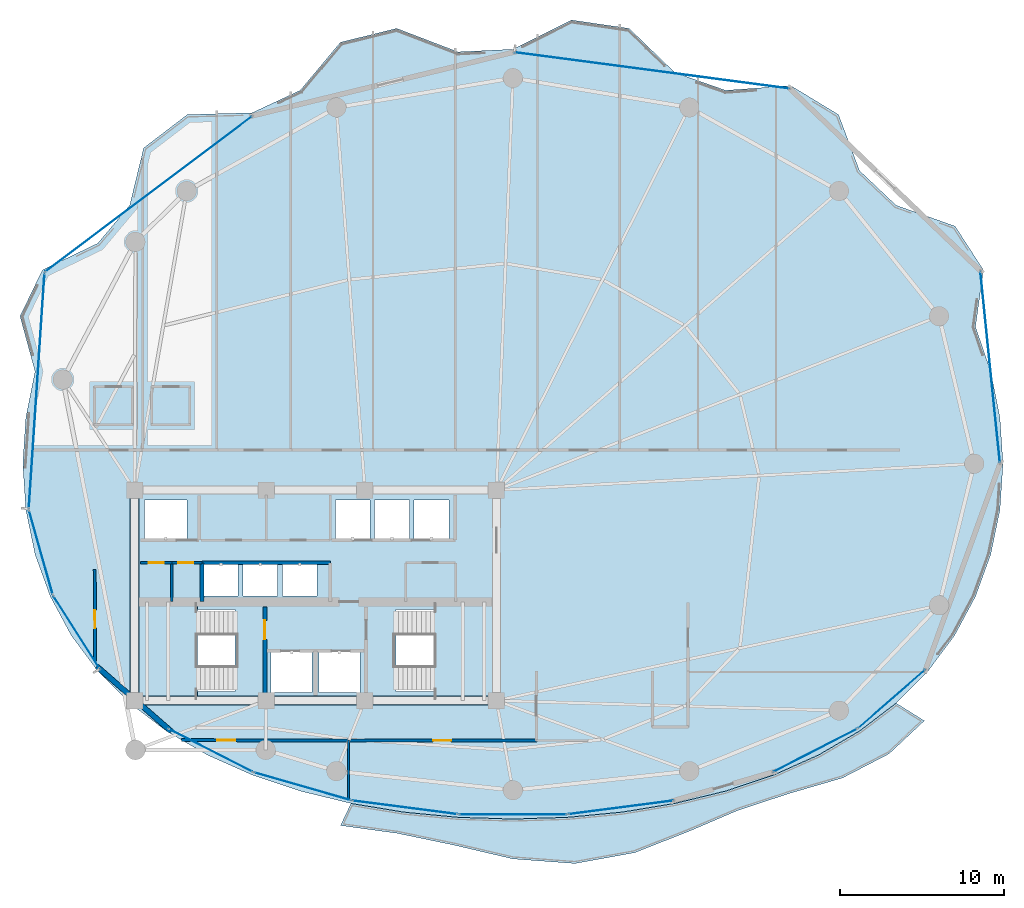
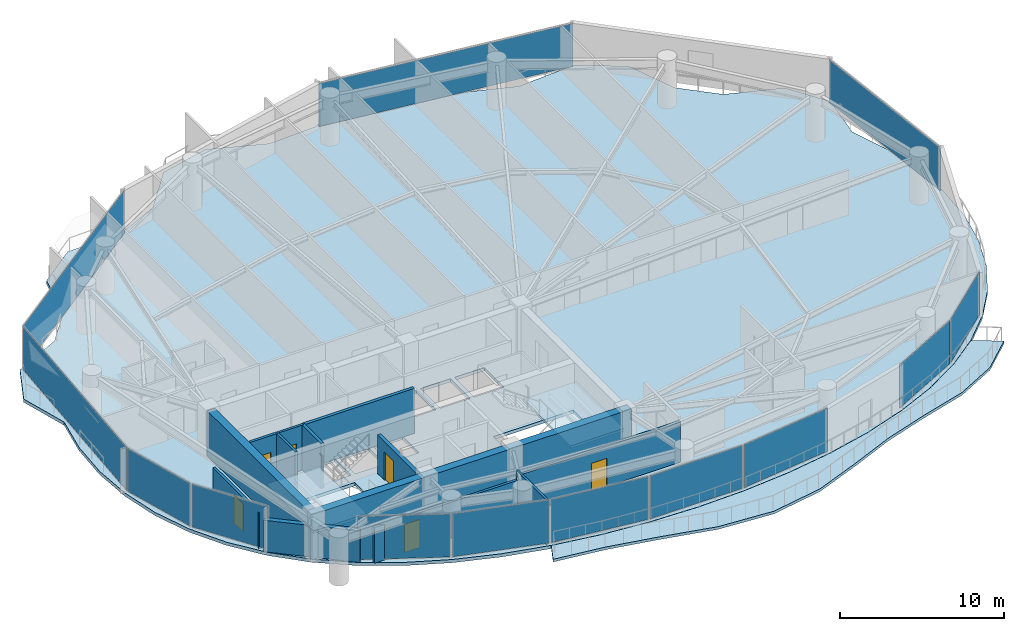
# One storey, part 24 of 30: 13 plates, 13 walls, 6 doors, 4 slabs, 6 openings, 15 elements without a shape of their own.
"""IFC4 building model written with IfcOpenShell, lengths in metres."""

from ifc_helpers import new_model, si_unit, direction, frame, frame_2d, origin, origin_2d, place, context, subcontext, project, spatial, polyline, rectangle, outline, extrude, material, layer, layer_set, type_object, element, fill, aggregate, save


model = new_model("IFC4")

# Units and contexts
model_context = context("Model", 3, precision=1e-05, world=origin(), true_north=direction((0.0, 1.0)))
body_context = subcontext(model_context, "Body", "Model", "MODEL_VIEW")
ifc_project = project(units=[si_unit("LENGTHUNIT", "METRE"), si_unit("AREAUNIT", "SQUARE_METRE"), si_unit("VOLUMEUNIT", "CUBIC_METRE"), si_unit("PLANEANGLEUNIT", "RADIAN"), si_unit("MASSUNIT", "GRAM", prefix="KILO")], contexts=[model_context])

# Site, building, storey
site_placement = place(None, origin())
site = spatial("IfcSite", under=ifc_project, at=site_placement, CompositionType="ELEMENT")
building_placement = place(site_placement, origin())
building = spatial("IfcBuilding", under=site, at=building_placement, Name="Kazevale Care Tower and Concert Hall", CompositionType="ELEMENT")
storey_placement = place(building_placement, frame((0.0, 0.0, 127.800048828125)))
storey = spatial("IfcBuildingStorey", under=building, at=storey_placement, Name="L33", CompositionType="ELEMENT", Elevation=127.800048828125)

# Curtain wall, plate
ifc_material_1 = material(Name="Aluminium 6063-T6 and Low-E Glass", Category="aluminium")
ifc_layer_1 = layer(ifc_material_1, 0.179931640625)
ifc_layer_set_1 = layer_set([ifc_layer_1], Name="Aluminium 6063-T6 and Low-E Glass")
curtain_wall_type_1 = type_object("IfcCurtainWallType", Name="Convex Recessed Sunroom Curtain Wall CW-3", PredefinedType="NOTDEFINED", material=ifc_layer_set_1)
curtain_wall_1_placement = place(storey_placement, origin())
curtain_wall_1 = element("IfcCurtainWall", 1, at=curtain_wall_1_placement, inside=storey, type_object=curtain_wall_type_1, Name="cw:L33:f14", PredefinedType="NOTDEFINED")
ifc_material_2 = material(Name="Low-E Laminated Glass", Category="glass")
ifc_layer_2 = layer(ifc_material_2, 0.028076171875)
ifc_layer_set_2 = layer_set([ifc_layer_2], Name="Low-E Laminated Glass")
plate_type_1 = type_object("IfcPlateType", Name="CW-3 Low-E Glazing Panel 28mm", PredefinedType="CURTAIN_PANEL", material=ifc_layer_set_2)
plate_1_placement = place(storey_placement, frame((22.8583984375, 54.402099609375, 0.074951171875), z_axis=(0.0, 0.0, 1.0), x_axis=(0.799400950952, 0.600797902474, 0.0)))
plate_1 = element("IfcPlate", 2, at=plate_1_placement, type_object=plate_type_1, Name="CW-3 panel 1.1", PredefinedType="CURTAIN_PANEL", context=body_context, shape_type="SweptSolid", body=[
    extrude(rectangle(XDim=15.685546875, YDim=0.028076171875, at=origin_2d()), origin(), (0.0, 0.0, 1.0), 3.2099609375),
])
aggregate(curtain_wall_1, [plate_1])

curtain_wall_2_placement = place(storey_placement, origin())
curtain_wall_2 = element("IfcCurtainWall", 3, at=curtain_wall_2_placement, inside=storey, type_object=curtain_wall_type_1, Name="cw:L33:f16", PredefinedType="NOTDEFINED")
plate_2_placement = place(storey_placement, frame((53.447509765625, 61.91357421875, 0.074951171875), z_axis=(0.0, 0.0, 1.0), x_axis=(0.991405823257, -0.130822374277, 0.0)))
plate_2 = element("IfcPlate", 4, at=plate_2_placement, type_object=plate_type_1, Name="CW-3 panel 1.1", PredefinedType="CURTAIN_PANEL", context=body_context, shape_type="SweptSolid", body=[
    extrude(rectangle(XDim=16.796630859375, YDim=0.028076171875, at=origin_2d()), origin(), (0.0, 0.0, 1.0), 3.2099609375),
])
aggregate(curtain_wall_2, [plate_2])

ifc_layer_3 = layer(ifc_material_1, 0.179931640625)
ifc_layer_set_3 = layer_set([ifc_layer_3], Name="Aluminium 6063-T6 and Low-E Glass")
curtain_wall_type_2 = type_object("IfcCurtainWallType", Name="Waist & Upper Residential Curtain Wall CW-4", PredefinedType="NOTDEFINED", material=ifc_layer_set_3)
curtain_wall_3_placement = place(storey_placement, origin())
curtain_wall_3 = element("IfcCurtainWall", 5, at=curtain_wall_3_placement, inside=storey, type_object=curtain_wall_type_2, Name="cw:L33:f11", PredefinedType="NOTDEFINED")
ifc_layer_4 = layer(ifc_material_2, 0.030029296875)
ifc_layer_set_4 = layer_set([ifc_layer_4], Name="Low-E Laminated Glass")
plate_type_2 = type_object("IfcPlateType", Name="CW-4 Low-E Glazing Panel 30mm", PredefinedType="CURTAIN_PANEL", material=ifc_layer_set_4)
plate_3_placement = place(storey_placement, frame((18.470458984375, 27.75244140625, 0.080078125), z_axis=(0.0, 0.0, 1.0), x_axis=(-0.537239193981, 0.843429930967, 0.0)))
plate_3 = element("IfcPlate", 6, at=plate_3_placement, type_object=plate_type_2, Name="CW-4 panel 1.1", PredefinedType="CURTAIN_PANEL", context=body_context, shape_type="SweptSolid", body=[
    extrude(rectangle(XDim=5.176513671875, YDim=0.030029296875, at=origin_2d()), origin(), (0.0, 0.0, 1.0), 3.199951171875),
])
aggregate(curtain_wall_3, [plate_3])

curtain_wall_4_placement = place(storey_placement, origin())
curtain_wall_4 = element("IfcCurtainWall", 7, at=curtain_wall_4_placement, inside=storey, type_object=curtain_wall_type_2, Name="cw:L33:f12", PredefinedType="NOTDEFINED")
plate_4_placement = place(storey_placement, frame((16.301513671875, 32.612548828125, 0.080078125), z_axis=(0.0, 0.0, 1.0), x_axis=(-0.271284948278, 0.962499078876, 0.0)))
plate_4 = element("IfcPlate", 8, at=plate_4_placement, type_object=plate_type_2, Name="CW-4 panel 1.1", PredefinedType="CURTAIN_PANEL", context=body_context, shape_type="SweptSolid", body=[
    extrude(rectangle(XDim=5.262451171875, YDim=0.030029296875, at=origin_2d()), origin(), (0.0, 0.0, 1.0), 3.199951171875),
])
aggregate(curtain_wall_4, [plate_4])

curtain_wall_5_placement = place(storey_placement, origin())
curtain_wall_5 = element("IfcCurtainWall", 9, at=curtain_wall_5_placement, inside=storey, type_object=curtain_wall_type_2, Name="cw:L33:f13", PredefinedType="NOTDEFINED")
plate_5_placement = place(storey_placement, frame((16.047607421875, 42.43359375, 0.080078125), z_axis=(0.0, 0.0, 1.0), x_axis=(0.06662002475, 0.997778418439, 0.0)))
plate_5 = element("IfcPlate", 10, at=plate_5_placement, type_object=plate_type_2, Name="CW-4 panel 1.1", PredefinedType="CURTAIN_PANEL", context=body_context, shape_type="SweptSolid", body=[
    extrude(rectangle(XDim=14.295166015625, YDim=0.030029296875, at=origin_2d()), origin(), (0.0, 0.0, 1.0), 3.199951171875),
])
aggregate(curtain_wall_5, [plate_5])

curtain_wall_6_placement = place(storey_placement, origin())
curtain_wall_6 = element("IfcCurtainWall", 11, at=curtain_wall_6_placement, inside=storey, type_object=curtain_wall_type_2, Name="cw:L33:f18", PredefinedType="NOTDEFINED")
plate_6_placement = place(storey_placement, frame((74.01904296875, 43.868896484375, 0.080078125), z_axis=(0.0, 0.0, 1.0), x_axis=(0.101869730126, -0.994797747326, 0.0)))
plate_6 = element("IfcPlate", 12, at=plate_6_placement, type_object=plate_type_2, Name="CW-4 panel 1.1", PredefinedType="CURTAIN_PANEL", context=body_context, shape_type="SweptSolid", body=[
    extrude(rectangle(XDim=11.639404296875, YDim=0.030029296875, at=origin_2d()), origin(), (0.0, 0.0, 1.0), 3.199951171875),
])
aggregate(curtain_wall_6, [plate_6])

ifc_layer_5 = layer(ifc_material_1, 0.179931640625)
ifc_layer_set_5 = layer_set([ifc_layer_5], Name="Aluminium 6063-T6 and Low-E Glass")
curtain_wall_type_3 = type_object("IfcCurtainWallType", Name="Sheltered Concave Balcony Curtain Wall CW-5", PredefinedType="NOTDEFINED", material=ifc_layer_set_5)
curtain_wall_7_placement = place(storey_placement, origin())
curtain_wall_7 = element("IfcCurtainWall", 13, at=curtain_wall_7_placement, inside=storey, type_object=curtain_wall_type_3, Name="cw:L33:f02", PredefinedType="NOTDEFINED")
ifc_layer_6 = layer(ifc_material_2, 0.02587890625)
ifc_layer_set_6 = layer_set([ifc_layer_6], Name="Low-E Laminated Glass")
plate_type_3 = type_object("IfcPlateType", Name="CW-5 Low-E Glazing Panel 26mm", PredefinedType="CURTAIN_PANEL", material=ifc_layer_set_6)
plate_7_placement = place(storey_placement, frame((68.033447265625, 23.699951171875, 0.074951171875), z_axis=(0.0, 0.0, 1.0), x_axis=(-0.753062779437, -0.657948668382, 0.0)))
plate_7 = element("IfcPlate", 14, at=plate_7_placement, type_object=plate_type_3, Name="CW-5 panel 1.1", PredefinedType="CURTAIN_PANEL", context=body_context, shape_type="SweptSolid", body=[
    extrude(rectangle(XDim=5.32763671875, YDim=0.02587890625, at=origin_2d()), origin(), (0.0, 0.0, 1.0), 3.2099609375),
])
aggregate(curtain_wall_7, [plate_7])

curtain_wall_8_placement = place(storey_placement, origin())
curtain_wall_8 = element("IfcCurtainWall", 15, at=curtain_wall_8_placement, inside=storey, type_object=curtain_wall_type_3, Name="cw:L33:f03", PredefinedType="NOTDEFINED")
plate_8_placement = place(storey_placement, frame((63.3798828125, 20.571533203125, 0.074951171875), z_axis=(0.0, 0.0, 1.0), x_axis=(-0.890126646051, -0.455713236575, 0.0)))
plate_8 = element("IfcPlate", 16, at=plate_8_placement, type_object=plate_type_3, Name="CW-5 panel 1.1", PredefinedType="CURTAIN_PANEL", context=body_context, shape_type="SweptSolid", body=[
    extrude(rectangle(XDim=5.671630859375, YDim=0.02587890625, at=origin_2d()), origin(), (0.0, 0.0, 1.0), 3.2099609375),
])
aggregate(curtain_wall_8, [plate_8])

curtain_wall_9_placement = place(storey_placement, origin())
curtain_wall_9 = element("IfcCurtainWall", 17, at=curtain_wall_9_placement, inside=storey, type_object=curtain_wall_type_3, Name="cw:L33:f05", PredefinedType="NOTDEFINED")
plate_9_placement = place(storey_placement, frame((51.5654296875, 17.1044921875, 0.074951171875), z_axis=(0.0, 0.0, 1.0), x_axis=(-0.991685519364, -0.12868500567, 0.0)))
plate_9 = element("IfcPlate", 18, at=plate_9_placement, type_object=plate_type_3, Name="CW-5 panel 1.1", PredefinedType="CURTAIN_PANEL", context=body_context, shape_type="SweptSolid", body=[
    extrude(rectangle(XDim=6.38525390625, YDim=0.02587890625, at=origin_2d()), origin(), (0.0, 0.0, 1.0), 3.2099609375),
])
aggregate(curtain_wall_9, [plate_9])

curtain_wall_10_placement = place(storey_placement, origin())
curtain_wall_10 = element("IfcCurtainWall", 19, at=curtain_wall_10_placement, inside=storey, type_object=curtain_wall_type_3, Name="cw:L33:f06", PredefinedType="NOTDEFINED")
plate_10_placement = place(storey_placement, frame((45.0, 16.68408203125, 0.074951171875), z_axis=(0.0, 0.0, 1.0), x_axis=(-1.0, 0.0, 0.0)))
plate_10 = element("IfcPlate", 20, at=plate_10_placement, type_object=plate_type_3, Name="CW-5 panel 1.1", PredefinedType="CURTAIN_PANEL", context=body_context, shape_type="SweptSolid", body=[
    extrude(rectangle(XDim=6.5, YDim=0.02587890625, at=origin_2d()), origin(), (0.0, 0.0, 1.0), 3.2099609375),
])
aggregate(curtain_wall_10, [plate_10])

curtain_wall_11_placement = place(storey_placement, origin())
curtain_wall_11 = element("IfcCurtainWall", 21, at=curtain_wall_11_placement, inside=storey, type_object=curtain_wall_type_3, Name="cw:L33:f07", PredefinedType="NOTDEFINED")
plate_11_placement = place(storey_placement, frame((38.4345703125, 17.1044921875, 0.074951171875), z_axis=(0.0, 0.0, 1.0), x_axis=(-0.991685519364, 0.12868500567, 0.0)))
plate_11 = element("IfcPlate", 22, at=plate_11_placement, type_object=plate_type_3, Name="CW-5 panel 1.1", PredefinedType="CURTAIN_PANEL", context=body_context, shape_type="SweptSolid", body=[
    extrude(rectangle(XDim=6.38525390625, YDim=0.02587890625, at=origin_2d()), origin(), (0.0, 0.0, 1.0), 3.2099609375),
])
aggregate(curtain_wall_11, [plate_11])

curtain_wall_12_placement = place(storey_placement, origin())
curtain_wall_12 = element("IfcCurtainWall", 23, at=curtain_wall_12_placement, inside=storey, type_object=curtain_wall_type_3, Name="cw:L33:f08", PredefinedType="NOTDEFINED")
plate_12_placement = place(storey_placement, frame((32.202392578125, 18.385009765625, 0.074951171875), z_axis=(0.0, 0.0, 1.0), x_axis=(-0.961074102639, 0.276290733172, 0.0)))
plate_12 = element("IfcPlate", 24, at=plate_12_placement, type_object=plate_type_3, Name="CW-5 panel 1.1", PredefinedType="CURTAIN_PANEL", context=body_context, shape_type="SweptSolid", body=[
    extrude(rectangle(XDim=6.075439453125, YDim=0.02587890625, at=origin_2d()), origin(), (0.0, 0.0, 1.0), 3.2099609375),
])
aggregate(curtain_wall_12, [plate_12])

curtain_wall_13_placement = place(storey_placement, origin())
curtain_wall_13 = element("IfcCurtainWall", 25, at=curtain_wall_13_placement, inside=storey, type_object=curtain_wall_type_3, Name="cw:L33:f09", PredefinedType="NOTDEFINED")
plate_13_placement = place(storey_placement, frame((26.6201171875, 20.571533203125, 0.074951171875), z_axis=(0.0, 0.0, 1.0), x_axis=(-0.890126646051, 0.455713236575, 0.0)))
plate_13 = element("IfcPlate", 26, at=plate_13_placement, type_object=plate_type_3, Name="CW-5 panel 1.1", PredefinedType="CURTAIN_PANEL", context=body_context, shape_type="SweptSolid", body=[
    extrude(rectangle(XDim=5.671630859375, YDim=0.02587890625, at=origin_2d()), origin(), (0.0, 0.0, 1.0), 3.2099609375),
])
aggregate(curtain_wall_13, [plate_13])

# Slab
ifc_material_3 = material(Name="Concrete C40", Category="concrete")
ifc_layer_7 = layer(ifc_material_3, 0.199951171875)
ifc_layer_set_7 = layer_set([ifc_layer_7], Name="Concrete C40")
slab_type_1 = type_object("IfcSlabType", Name="Sinusoidal Concave Balcony Slab 200", PredefinedType="USERDEFINED", material=ifc_layer_set_7)
slab_1_placement = place(storey_placement, frame((0.0, 0.0, -0.199951171875)))
element("IfcSlab", 27, at=slab_1_placement, inside=storey, type_object=slab_type_1, Name="slab:L33:bal", ObjectType="BALCONY", PredefinedType="USERDEFINED", context=body_context, shape_type="SweptSolid", body=[
    extrude(outline(polyline([(70.01611328125, 22.373779296875), (67.86767578125, 20.36279296875), (65.04345703125, 18.8974609375), (61.798583984375, 17.95068359375), (58.68994140625, 16.928466796875), (55.659423828125, 15.633544921875), (52.4033203125, 14.35205078125), (48.772705078125, 13.693603515625), (45.0, 13.97412109375), (41.401611328125, 14.816162109375), (37.965576171875, 15.530517578125), (34.51708984375, 16.00390625), (35.155517578125, 17.343505859375), (35.15673828125, 17.34326171875), (38.368408203125, 16.81396484375), (41.6630859375, 16.49951171875), (45.0, 16.39501953125), (48.3369140625, 16.49951171875), (51.631591796875, 16.81396484375), (54.84326171875, 17.34326171875), (57.93115234375, 18.09375), (60.8564453125, 19.07275390625), (63.582275390625, 20.28759765625), (66.07470703125, 21.74365234375), (68.302001953125, 23.442626953125), (68.302978515625, 23.44384765625), (70.01611328125, 22.373779296875)])), origin(), (0.0, 0.0, 1.0), 0.199951171875),
])

# Stair, slab
stair_type = type_object("IfcStairType", Name="Exit Stair Assembly ST1-Z2", PredefinedType="HALF_TURN_STAIR", material=ifc_material_3)
stair_1_placement = place(storey_placement, origin())
stair_1 = element("IfcStair", 28, at=stair_1_placement, inside=storey, type_object=stair_type, Name="stair:L33:ST1", PredefinedType="HALF_TURN_STAIR")
ifc_layer_8 = layer(ifc_material_3, 0.199951171875)
ifc_layer_set_8 = layer_set([ifc_layer_8], Name="Concrete C40")
slab_type_2 = type_object("IfcSlabType", Name="Stair Half-Landing Slab ST1-Z2", PredefinedType="LANDING", material=ifc_layer_set_8)
slab_2_placement = place(storey_placement, frame((0.0, 0.0, 1.599853515625)))
slab_2 = element("IfcSlab", 29, at=slab_2_placement, type_object=slab_type_2, Name="ST1-Z2 landing 1", PredefinedType="LANDING", context=body_context, shape_type="SweptSolid", body=[
    extrude(outline(polyline([(22.050048828125, 23.699951171875), (25.81005859375, 23.699951171875), (25.81005859375, 29.5), (22.050048828125, 29.5), (22.050048828125, 23.699951171875)])), origin(), (0.0, 0.0, 1.0), 0.2001953125),
])
aggregate(stair_1, [slab_2])

stair_2_placement = place(storey_placement, origin())
stair_2 = element("IfcStair", 30, at=stair_2_placement, inside=storey, type_object=stair_type, Name="stair:L33:ST2", PredefinedType="HALF_TURN_STAIR")
slab_3_placement = place(storey_placement, frame((0.0, 0.0, 1.599853515625)))
slab_3 = element("IfcSlab", 31, at=slab_3_placement, type_object=slab_type_2, Name="ST1-Z2 landing 1", PredefinedType="LANDING", context=body_context, shape_type="SweptSolid", body=[
    extrude(outline(polyline([(40.18994140625, 23.699951171875), (43.949951171875, 23.699951171875), (43.949951171875, 29.5), (40.18994140625, 29.5), (40.18994140625, 23.699951171875)])), origin(), (0.0, 0.0, 1.0), 0.2001953125),
])
aggregate(stair_2, [slab_3])

# Slab
ifc_layer_9 = layer(ifc_material_3, 0.239990234375)
ifc_layer_set_9 = layer_set([ifc_layer_9], Name="Concrete C40")
slab_type_3 = type_object("IfcSlabType", Name="Tower Typical Floor Slab 240", PredefinedType="FLOOR", material=ifc_layer_set_9)
slab_4_placement = place(storey_placement, frame((0.0, 0.0, -0.239990234375)))
element("IfcSlab", 32, at=slab_4_placement, inside=storey, type_object=slab_type_3, Name="slab:L33:tw:1", PredefinedType="FLOOR", context=body_context, shape_type="SweptSolid", body=[
    extrude(outline(polyline([(74.800048828125, 38.0), (74.612548828125, 40.821533203125), (74.052978515625, 43.607421875), (73.127685546875, 46.322998046875), (73.605712890625, 49.77978515625), (71.883544921875, 52.444580078125), (68.298583984375, 53.7119140625), (66.07177734375, 55.819091796875), (64.7958984375, 59.226806640625), (61.89208984375, 60.988525390625), (57.9296875, 60.704345703125), (54.84228515625, 61.785888671875), (52.06494140625, 64.46923828125), (48.554931640625, 64.979248046875), (45.0, 63.199951171875), (41.66357421875, 63.04150390625), (37.93505859375, 64.46923828125), (34.513671875, 63.62646484375), (32.0703125, 60.704345703125), (29.1455078125, 59.33740234375), (25.2041015625, 59.226806640625), (22.54931640625, 57.197998046875), (21.701416015625, 53.7119140625), (19.767578125, 51.4072265625), (16.394287109375, 49.77978515625), (15.03173828125, 46.967041015625), (15.947021484375, 43.607421875), (15.387451171875, 40.821533203125), (15.199951171875, 38.0), (15.387451171875, 35.197265625), (15.947021484375, 32.490234375), (16.872314453125, 29.92919921875), (18.151123046875, 27.551513671875), (19.767578125, 25.384521484375), (21.701416015625, 23.446533203125), (23.92822265625, 21.747802734375), (26.419921875, 20.2919921875), (29.1455078125, 19.077392578125), (32.0703125, 18.098388671875), (35.15771484375, 17.34814453125), (38.368896484375, 16.819091796875), (41.66357421875, 16.50439453125), (45.0, 16.39990234375), (48.33642578125, 16.50439453125), (51.631103515625, 16.819091796875), (54.84228515625, 17.34814453125), (57.9296875, 18.098388671875), (60.8544921875, 19.077392578125), (63.580078125, 20.2919921875), (66.07177734375, 21.747802734375), (68.298583984375, 23.446533203125), (70.232421875, 25.384521484375), (71.848876953125, 27.551513671875), (73.127685546875, 29.92919921875), (74.052978515625, 32.490234375), (74.612548828125, 35.197265625), (74.800048828125, 38.0)]), holes=[polyline([(22.449951171875, 24.14990234375), (28.110107421875, 24.14990234375), (28.110107421875, 29.14990234375), (22.449951171875, 29.14990234375), (22.449951171875, 24.14990234375)]), polyline([(37.889892578125, 24.14990234375), (43.550048828125, 24.14990234375), (43.550048828125, 29.14990234375), (37.889892578125, 29.14990234375), (37.889892578125, 24.14990234375)]), polyline([(30.300048828125, 24.10009765625), (32.800048828125, 24.10009765625), (32.800048828125, 26.60009765625), (30.300048828125, 26.60009765625), (30.300048828125, 24.10009765625)]), polyline([(33.199951171875, 24.10009765625), (35.699951171875, 24.10009765625), (35.699951171875, 26.60009765625), (33.199951171875, 26.60009765625), (33.199951171875, 24.10009765625)]), polyline([(22.60009765625, 33.39990234375), (25.199951171875, 33.39990234375), (25.199951171875, 35.800048828125), (22.60009765625, 35.800048828125), (22.60009765625, 33.39990234375)]), polyline([(34.199951171875, 33.39990234375), (36.300048828125, 33.39990234375), (36.300048828125, 35.800048828125), (34.199951171875, 35.800048828125), (34.199951171875, 33.39990234375)]), polyline([(36.60009765625, 33.39990234375), (38.699951171875, 33.39990234375), (38.699951171875, 35.800048828125), (36.60009765625, 35.800048828125), (36.60009765625, 33.39990234375)]), polyline([(39.0, 33.39990234375), (41.10009765625, 33.39990234375), (41.10009765625, 35.800048828125), (39.0, 35.800048828125), (39.0, 33.39990234375)]), polyline([(26.199951171875, 29.949951171875), (28.300048828125, 29.949951171875), (28.300048828125, 31.949951171875), (26.199951171875, 31.949951171875), (26.199951171875, 29.949951171875)]), polyline([(28.60009765625, 29.949951171875), (30.699951171875, 29.949951171875), (30.699951171875, 31.949951171875), (28.60009765625, 31.949951171875), (28.60009765625, 29.949951171875)]), polyline([(31.0, 29.949951171875), (33.10009765625, 29.949951171875), (33.10009765625, 31.949951171875), (31.0, 31.949951171875), (31.0, 29.949951171875)])]), origin(), (0.0, 0.0, 1.0), 0.239990234375),
])

# Walls
ifc_material_4 = material(Name="Acoustic Gypsum on Steel Stud", Category="steel")
ifc_layer_10 = layer(ifc_material_4, 0.139892578125)
ifc_layer_set_10 = layer_set([ifc_layer_10], Name="Acoustic Gypsum on Steel Stud")
wall_type_1 = type_object("IfcWallType", Name="Acoustic Care & Suite Partition 140", PredefinedType="PARTITIONING", material=ifc_layer_set_10)
wall_1_placement = place(storey_placement, frame((35.0, 21.205078125, 0.0), z_axis=(0.0, 0.0, 1.0), x_axis=(0.0, -1.0, 0.0)))
element("IfcWall", 33, at=wall_1_placement, inside=storey, type_object=wall_type_1, Name="wall:L33:auto_030", PredefinedType="PARTITIONING", context=body_context, shape_type="SweptSolid", body=[
    extrude(rectangle(XDim=3.6142578125, YDim=0.139892578125, at=frame_2d((1.80712890625, 0.0))), origin(), (0.0, 0.0, 1.0), 3.35986328125),
])
ifc_material_5 = material(Name="Concrete C60", Category="concrete")
ifc_layer_11 = layer(ifc_material_5, 0.550048828125)
ifc_layer_set_11 = layer_set([ifc_layer_11], Name="Concrete C60")
wall_type_2 = type_object("IfcWallType", Name="Core Shear Wall 550 C60", PredefinedType="SHEAR", material=ifc_layer_set_11)
wall_2_placement = place(storey_placement, frame((21.72509765625, 23.60009765625, 0.0), z_axis=(0.0, 0.0, 1.0), x_axis=(1.0, 0.0, 0.0)))
element("IfcWall", 34, at=wall_2_placement, inside=storey, type_object=wall_type_2, Name="wall:L33:core:S", PredefinedType="SHEAR", context=body_context, shape_type="SweptSolid", body=[
    extrude(rectangle(XDim=22.5498046875, YDim=0.550048828125, at=frame_2d((11.27490234375, 0.0))), origin(), (0.0, 0.0, 1.0), 3.35986328125),
])
wall_3_placement = place(storey_placement, frame((22.0, 23.875, 0.0), z_axis=(0.0, 0.0, 1.0), x_axis=(0.0, 1.0, 0.0)))
element("IfcWall", 35, at=wall_3_placement, inside=storey, type_object=wall_type_2, Name="wall:L33:core:W", PredefinedType="SHEAR", context=body_context, shape_type="SweptSolid", body=[
    extrude(rectangle(XDim=12.25, YDim=0.550048828125, at=frame_2d((6.125, 0.0))), origin(), (0.0, 0.0, 1.0), 3.35986328125),
])
ifc_layer_12 = layer(ifc_material_3, 0.219970703125)
ifc_layer_set_12 = layer_set([ifc_layer_12], Name="Concrete C40")
wall_type_3 = type_object("IfcWallType", Name="Elevator Hoistway Shaft Wall 220", PredefinedType="SOLIDWALL", material=ifc_layer_set_12)
wall_4_placement = place(storey_placement, frame((26.10009765625, 29.6201171875, 0.0), z_axis=(0.0, 0.0, 1.0), x_axis=(0.0, 1.0, 0.0)))
element("IfcWall", 36, at=wall_4_placement, inside=storey, type_object=wall_type_3, Name="wall:L33:c_ph_w", PredefinedType="SOLIDWALL", context=body_context, shape_type="SweptSolid", body=[
    extrude(rectangle(XDim=2.35986328125, YDim=0.219970703125, at=frame_2d((1.179931640625, 0.0))), origin(), (0.0, 0.0, 1.0), 3.35986328125),
])
wall_5_placement = place(storey_placement, frame((26.10009765625, 31.97998046875, 0.0), z_axis=(0.0, 0.0, 1.0), x_axis=(1.0, 0.0, 0.0)))
element("IfcWall", 37, at=wall_5_placement, inside=storey, type_object=wall_type_3, Name="wall:L33:c_ph_n", PredefinedType="SOLIDWALL", context=body_context, shape_type="SweptSolid", body=[
    extrude(rectangle(XDim=7.7998046875, YDim=0.219970703125, at=frame_2d((3.89990234375, 0.0))), origin(), (0.0, 0.0, 1.0), 3.35986328125),
])

# Wall, opening, door
ifc_material_6 = material(Name="Concrete C40 and Acoustic Gypsum", Category="concrete")
ifc_layer_13 = layer(ifc_material_6, 0.179931640625)
ifc_layer_set_13 = layer_set([ifc_layer_13], Name="Concrete C40 and Acoustic Gypsum")
wall_type_4 = type_object("IfcWallType", Name="Fire-Rated Corridor & Party Wall 180", PredefinedType="PARTITIONING", material=ifc_layer_set_13)
wall_6_placement = place(storey_placement, frame((22.35009765625, 31.97998046875, 0.0), z_axis=(0.0, 0.0, 1.0), x_axis=(1.0, 0.0, 0.0)))
wall_6 = element("IfcWall", 38, at=wall_6_placement, inside=storey, type_object=wall_type_4, Name="wall:L33:kb_wn0", PredefinedType="PARTITIONING", context=body_context, shape_type="SweptSolid", body=[
    extrude(rectangle(XDim=1.909912109375, YDim=0.179931640625, at=frame_2d((0.955078125, 0.0))), origin(), (0.0, 0.0, 1.0), 3.35986328125),
])
opening_1_placement = place(wall_6_placement, frame((0.514892578125, 0.0, 0.0)))
opening_1 = element("IfcOpeningElement", 39, at=opening_1_placement, cuts=wall_6, Name="Opening ID-900", PredefinedType="OPENING", context=body_context, shape_type="SweptSolid", body=[
    extrude(rectangle(XDim=0.919921875, YDim=2.10009765625, at=frame_2d((0.4599609375, 1.050048828125))), frame((0.0, 0.099853515625, 0.0), z_axis=(0.0, -1.0, 0.0), x_axis=(1.0, 0.0, 0.0)), (0.0, 0.0, 1.0), 0.199951171875),
])
ifc_material_7 = material(Name="Oak Timber Fire Leaf", Category="wood")
door_type_1 = type_object("IfcDoorType", Name="Bathroom & Service Door 920x2100", OperationType="NOTDEFINED", PredefinedType="DOOR", material=ifc_material_7)
door_1_placement = place(opening_1_placement, origin())
door_1 = element("IfcDoor", 40, at=door_1_placement, inside=storey, type_object=door_type_1, Name="door:L33:d_kbw1", OperationType="SINGLE_SWING_LEFT", OverallHeight=2.10009765625, OverallWidth=0.919921875, PredefinedType="DOOR", context=body_context, shape_type="SweptSolid", body=[
    extrude(rectangle(XDim=0.919921875, YDim=2.10009765625, at=frame_2d((0.4599609375, 1.050048828125))), frame((0.0, 0.02490234375, 0.0), z_axis=(0.0, -1.0, 0.0), x_axis=(1.0, 0.0, 0.0)), (0.0, 0.0, 1.0), 0.050048828125),
])
fill(opening_1, door_1)

wall_7_placement = place(storey_placement, frame((35.06494140625, 21.175048828125, 0.0), z_axis=(0.0, 0.0, 1.0), x_axis=(-0.999998434459, 0.001769485513, 0.0)))
wall_7 = element("IfcWall", 41, at=wall_7_placement, inside=storey, type_object=wall_type_4, Name="wall:L33:auto_016", PredefinedType="PARTITIONING", context=body_context, shape_type="SweptSolid", body=[
    extrude(rectangle(XDim=10.2099609375, YDim=0.179931640625, at=frame_2d((5.10498046875, 0.0))), origin(), (0.0, 0.0, 1.0), 2.656982421875),
])
opening_2_placement = place(wall_7_placement, frame((6.955078125, 0.0, 0.0)))
opening_2 = element("IfcOpeningElement", 42, at=opening_2_placement, cuts=wall_7, Name="Opening ID-1100", PredefinedType="OPENING", context=body_context, shape_type="SweptSolid", body=[
    extrude(rectangle(XDim=1.10009765625, YDim=2.10009765625, at=frame_2d((0.550048828125, 1.050048828125))), frame((0.0, 0.099853515625, 0.0), z_axis=(0.0, -1.0, 0.0), x_axis=(1.0, 0.0, 0.0)), (0.0, 0.0, 1.0), 0.199951171875),
])
door_type_2 = type_object("IfcDoorType", Name="Care Bedroom Accessible Door 1100x2100", OperationType="NOTDEFINED", PredefinedType="DOOR", material=ifc_material_7)
door_2_placement = place(opening_2_placement, origin())
door_2 = element("IfcDoor", 43, at=door_2_placement, inside=storey, type_object=door_type_2, Name="door:L33:ad_016", OperationType="SINGLE_SWING_LEFT", OverallHeight=2.10009765625, OverallWidth=1.10009765625, PredefinedType="DOOR", context=body_context, shape_type="SweptSolid", body=[
    extrude(rectangle(XDim=1.10009765625, YDim=2.10009765625, at=frame_2d((0.550048828125, 1.050048828125))), frame((0.0, 0.02490234375, 0.0), z_axis=(0.0, -1.0, 0.0), x_axis=(1.0, 0.0, 0.0)), (0.0, 0.0, 1.0), 0.050048828125),
])
fill(opening_2, door_2)

wall_8_placement = place(storey_placement, frame((46.455078125, 21.175048828125, 0.0), z_axis=(0.0, 0.0, 1.0), x_axis=(-1.0, 0.0, 0.0)))
wall_8 = element("IfcWall", 44, at=wall_8_placement, inside=storey, type_object=wall_type_4, Name="wall:L33:auto_017", PredefinedType="PARTITIONING", context=body_context, shape_type="SweptSolid", body=[
    extrude(rectangle(XDim=11.52001953125, YDim=0.179931640625, at=frame_2d((5.760009765625, 0.0))), origin(), (0.0, 0.0, 1.0), 2.995849609375),
])
opening_3_placement = place(wall_8_placement, frame((5.2099609375, 0.0, 0.0)))
opening_3 = element("IfcOpeningElement", 45, at=opening_3_placement, cuts=wall_8, Name="Opening ID-1100", PredefinedType="OPENING", context=body_context, shape_type="SweptSolid", body=[
    extrude(rectangle(XDim=1.10009765625, YDim=2.10009765625, at=frame_2d((0.550048828125, 1.050048828125))), frame((0.0, 0.099853515625, 0.0), z_axis=(0.0, -1.0, 0.0), x_axis=(1.0, 0.0, 0.0)), (0.0, 0.0, 1.0), 0.199951171875),
])
door_3_placement = place(opening_3_placement, origin())
door_3 = element("IfcDoor", 46, at=door_3_placement, inside=storey, type_object=door_type_2, Name="door:L33:ad_017", OperationType="SINGLE_SWING_LEFT", OverallHeight=2.10009765625, OverallWidth=1.10009765625, PredefinedType="DOOR", context=body_context, shape_type="SweptSolid", body=[
    extrude(rectangle(XDim=1.10009765625, YDim=2.10009765625, at=frame_2d((0.550048828125, 1.050048828125))), frame((0.0, 0.02490234375, 0.0), z_axis=(0.0, -1.0, 0.0), x_axis=(1.0, 0.0, 0.0)), (0.0, 0.0, 1.0), 0.050048828125),
])
fill(opening_3, door_3)

wall_9_placement = place(storey_placement, frame((19.59521484375, 25.99658203125, 0.0), z_axis=(0.0, 0.0, 1.0), x_axis=(-0.003639049913, 0.999993378636, 0.0)))
wall_9 = element("IfcWall", 47, at=wall_9_placement, inside=storey, type_object=wall_type_4, Name="wall:L33:auto_018", PredefinedType="PARTITIONING", context=body_context, shape_type="SweptSolid", body=[
    extrude(rectangle(XDim=5.568359375, YDim=0.179931640625, at=frame_2d((2.7841796875, 0.0))), origin(), (0.0, 0.0, 1.0), 2.656982421875),
])
opening_4_placement = place(wall_9_placement, frame((2.00390625, 0.0, 0.0)))
opening_4 = element("IfcOpeningElement", 48, at=opening_4_placement, cuts=wall_9, Name="Opening ID-1100", PredefinedType="OPENING", context=body_context, shape_type="SweptSolid", body=[
    extrude(rectangle(XDim=1.10009765625, YDim=2.10009765625, at=frame_2d((0.550048828125, 1.050048828125))), frame((0.0, 0.099853515625, 0.0), z_axis=(0.0, -1.0, 0.0), x_axis=(1.0, 0.0, 0.0)), (0.0, 0.0, 1.0), 0.199951171875),
])
door_4_placement = place(opening_4_placement, origin())
door_4 = element("IfcDoor", 49, at=door_4_placement, inside=storey, type_object=door_type_2, Name="door:L33:ad_018", OperationType="SINGLE_SWING_LEFT", OverallHeight=2.10009765625, OverallWidth=1.10009765625, PredefinedType="DOOR", context=body_context, shape_type="SweptSolid", body=[
    extrude(rectangle(XDim=1.10009765625, YDim=2.10009765625, at=frame_2d((0.550048828125, 1.050048828125))), frame((0.0, 0.02490234375, 0.0), z_axis=(0.0, -1.0, 0.0), x_axis=(1.0, 0.0, 0.0)), (0.0, 0.0, 1.0), 0.050048828125),
])
fill(opening_4, door_4)

# Wall
ifc_layer_14 = layer(ifc_material_4, 0.159912109375)
ifc_layer_set_14 = layer_set([ifc_layer_14], Name="Acoustic Gypsum on Steel Stud")
wall_type_5 = type_object("IfcWallType", Name="Moisture-Resistant Bathroom Plumbing Wall 160", PredefinedType="PLUMBINGWALL", material=ifc_layer_set_14)
wall_10_placement = place(storey_placement, frame((24.260009765625, 29.6201171875, 0.0), z_axis=(0.0, 0.0, 1.0), x_axis=(0.0, 1.0, 0.0)))
element("IfcWall", 50, at=wall_10_placement, inside=storey, type_object=wall_type_5, Name="wall:L33:kb_we1", PredefinedType="PLUMBINGWALL", context=body_context, shape_type="SweptSolid", body=[
    extrude(rectangle(XDim=2.35986328125, YDim=0.159912109375, at=frame_2d((1.179931640625, 0.0))), origin(), (0.0, 0.0, 1.0), 3.35986328125),
])

# Wall, opening, door
wall_11_placement = place(storey_placement, frame((24.260009765625, 31.97998046875, 0.0), z_axis=(0.0, 0.0, 1.0), x_axis=(1.0, 0.0, 0.0)))
wall_11 = element("IfcWall", 51, at=wall_11_placement, inside=storey, type_object=wall_type_5, Name="wall:L33:kb_wn1", PredefinedType="PLUMBINGWALL", context=body_context, shape_type="SweptSolid", body=[
    extrude(rectangle(XDim=1.840087890625, YDim=0.159912109375, at=frame_2d((0.919921875, 0.0))), origin(), (0.0, 0.0, 1.0), 3.35986328125),
])
opening_5_placement = place(wall_11_placement, frame((0.387939453125, 0.0, 0.0)))
opening_5 = element("IfcOpeningElement", 52, at=opening_5_placement, cuts=wall_11, Name="Opening ID-900", PredefinedType="OPENING", context=body_context, shape_type="SweptSolid", body=[
    extrude(rectangle(XDim=0.919921875, YDim=2.10009765625, at=frame_2d((0.4599609375, 1.050048828125))), frame((0.0, 0.08984375, 0.0), z_axis=(0.0, -1.0, 0.0), x_axis=(1.0, 0.0, 0.0)), (0.0, 0.0, 1.0), 0.179931640625),
])
door_5_placement = place(opening_5_placement, origin())
door_5 = element("IfcDoor", 53, at=door_5_placement, inside=storey, type_object=door_type_1, Name="door:L33:d_kbw2", OperationType="SINGLE_SWING_RIGHT", OverallHeight=2.10009765625, OverallWidth=0.919921875, PredefinedType="DOOR", context=body_context, shape_type="SweptSolid", body=[
    extrude(rectangle(XDim=0.919921875, YDim=2.10009765625, at=frame_2d((0.4599609375, 1.050048828125))), frame((0.0, 0.02490234375, 0.0), z_axis=(0.0, -1.0, 0.0), x_axis=(1.0, 0.0, 0.0)), (0.0, 0.0, 1.0), 0.050048828125),
])
fill(opening_5, door_5)

ifc_layer_15 = layer(ifc_material_3, 0.25)
ifc_layer_set_15 = layer_set([ifc_layer_15], Name="Concrete C40")
wall_type_6 = type_object("IfcWallType", Name="Pressurized Stair Shaft Wall 250", PredefinedType="SOLIDWALL", material=ifc_layer_set_15)
wall_12_placement = place(storey_placement, frame((29.919921875, 23.89990234375, 0.0), z_axis=(0.0, 0.0, 1.0), x_axis=(0.0, 1.0, 0.0)))
wall_12 = element("IfcWall", 54, at=wall_12_placement, inside=storey, type_object=wall_type_6, Name="wall:L33:c_st1_e", PredefinedType="SOLIDWALL", context=body_context, shape_type="SweptSolid", body=[
    extrude(rectangle(XDim=5.400146484375, YDim=0.25, at=frame_2d((2.7001953125, 0.0))), origin(), (0.0, 0.0, 1.0), 2.889892578125),
])
opening_6_placement = place(wall_12_placement, frame((3.4208984375, 0.0, 0.0)))
opening_6 = element("IfcOpeningElement", 55, at=opening_6_placement, cuts=wall_12, Name="Opening FD-90", PredefinedType="OPENING", context=body_context, shape_type="SweptSolid", body=[
    extrude(rectangle(XDim=1.14990234375, YDim=2.10009765625, at=frame_2d((0.574951171875, 1.050048828125))), frame((0.0, 0.135009765625, 0.0), z_axis=(0.0, -1.0, 0.0), x_axis=(1.0, 0.0, 0.0)), (0.0, 0.0, 1.0), 0.27001953125),
])
ifc_material_8 = material(Name="Steel ASTM A572 Gr 50", Category="steel")
door_type_3 = type_object("IfcDoorType", Name="Pressurized Stair & Lobby Fire Door 1150x2100", OperationType="NOTDEFINED", PredefinedType="DOOR", material=ifc_material_8)
door_6_placement = place(opening_6_placement, origin())
door_6 = element("IfcDoor", 56, at=door_6_placement, inside=storey, type_object=door_type_3, Name="door:L33:st1", OperationType="SINGLE_SWING_RIGHT", OverallHeight=2.10009765625, OverallWidth=1.14990234375, PredefinedType="DOOR", context=body_context, shape_type="SweptSolid", body=[
    extrude(rectangle(XDim=1.14990234375, YDim=2.10009765625, at=frame_2d((0.574951171875, 1.050048828125))), frame((0.0, 0.02490234375, 0.0), z_axis=(0.0, -1.0, 0.0), x_axis=(1.0, 0.0, 0.0)), (0.0, 0.0, 1.0), 0.050048828125),
])
fill(opening_6, door_6)

# Wall
ifc_material_9 = material(Name="Concrete C40 with Honed Limestone Cladding", Category="masonry")
ifc_layer_16 = layer(ifc_material_9, 0.320068359375)
ifc_layer_set_16 = layer_set([ifc_layer_16], Name="Concrete C40 with Honed Limestone Cladding")
wall_type_7 = type_object("IfcWallType", Name="Tower Honed Limestone Spandrel Wall 320", PredefinedType="STANDARD", material=ifc_layer_set_16)
wall_13_placement = place(storey_placement, frame((24.22509765625, 21.72705078125, 0.0), z_axis=(0.0, 0.0, 1.0), x_axis=(-0.753105964003, 0.657899237713, 0.0)))
element("IfcWall", 57, at=wall_13_placement, inside=storey, type_object=wall_type_7, Name="wall:cw:L33:f10", PredefinedType="STANDARD", context=body_context, shape_type="SweptSolid", body=[
    extrude(rectangle(XDim=5.998046875, YDim=0.320068359375, at=frame_2d((2.9990234375, 0.0))), origin(), (0.0, 0.0, 1.0), 2.349853515625),
])

save(model, "model.ifc")
